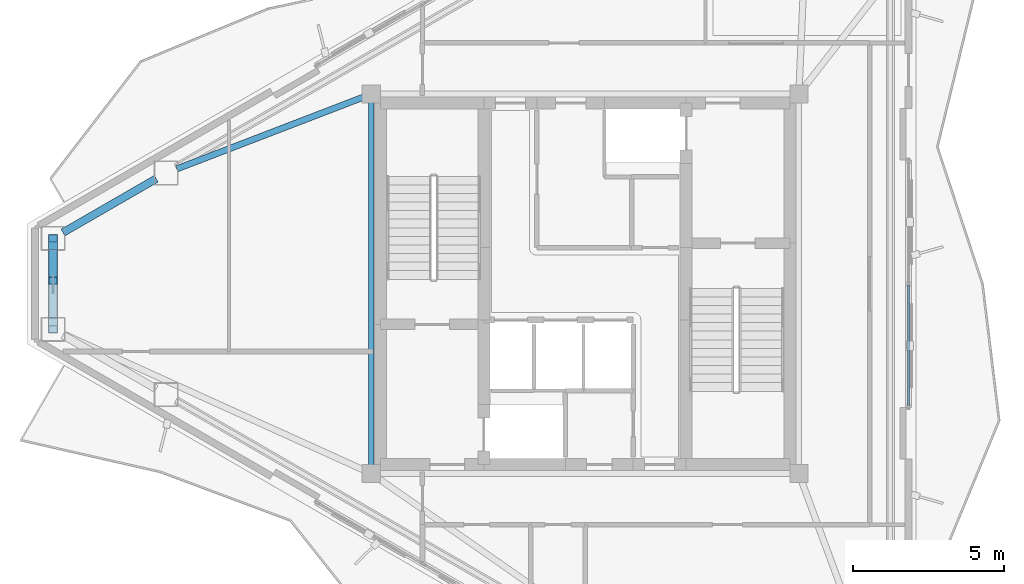
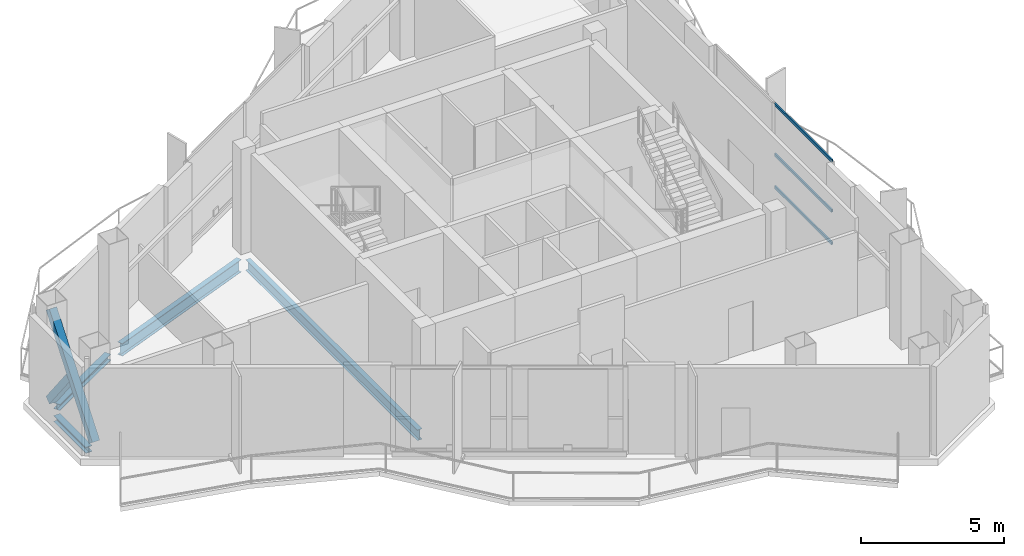
# One storey, part 5 of 14: 5 members, 4 beams, 1 element without a shape of its own.
"""IFC4 building model written with IfcOpenShell, lengths in metres."""

from ifc_helpers import new_model, si_unit, direction, frame, origin, origin_2d, place, context, subcontext, project, spatial, hollow_rectangle, i_section, extrude, material, layer, layer_set, material_profile, profile_set, type_object, element, aggregate, save


model = new_model("IFC4")

# Units and contexts
model_context = context("Model", 3, precision=1e-05, world=origin(), true_north=direction((0.0, 1.0)))
body_context = subcontext(model_context, "Body", "Model", "MODEL_VIEW")
ifc_project = project(units=[si_unit("LENGTHUNIT", "METRE"), si_unit("AREAUNIT", "SQUARE_METRE"), si_unit("VOLUMEUNIT", "CUBIC_METRE"), si_unit("PLANEANGLEUNIT", "RADIAN"), si_unit("MASSUNIT", "GRAM", prefix="KILO")], contexts=[model_context])

# Site, building, storey
site_placement = place(None, origin())
site = spatial("IfcSite", under=ifc_project, at=site_placement, CompositionType="ELEMENT")
building_placement = place(site_placement, origin())
building = spatial("IfcBuilding", under=site, at=building_placement, Name="Mersakhor Tower and Convention Hall", CompositionType="ELEMENT")
storey_placement = place(building_placement, frame((0.0, 0.0, 254.10009765625)))
storey = spatial("IfcBuildingStorey", under=building, at=storey_placement, Name="L71", CompositionType="ELEMENT", Elevation=254.10009765625)

# Beams
ifc_material_1 = material(Name="Steel S355", Category="steel")
ifc_material_profile_1 = material_profile(ifc_material_1, i_section(OverallWidth=0.19140625, OverallDepth=0.4599609375, WebThickness=0.010009765625, FlangeThickness=0.01611328125, at=origin_2d()), Name="UB 457x191x82")
ifc_profile_set_1 = profile_set([ifc_material_profile_1], Name="Steel S355")
beam_type_1 = type_object("IfcBeamType", Name="BM-FB-457", PredefinedType="BEAM", material=ifc_profile_set_1)
beam_1_placement = place(storey_placement, frame((21.89990234375, 20.72998046875, -0.510009765625), z_axis=(0.0, 1.0, 0.0), x_axis=(-1.0, 0.0, 0.0)))
element("IfcBeam", 1, at=beam_1_placement, inside=storey, type_object=beam_type_1, Name="L71 Core Ring Tie Beam CRB-1", PredefinedType="BEAM", context=body_context, shape_type="SweptSolid", body=[
    extrude(i_section(OverallWidth=0.19140625, OverallDepth=0.4599609375, WebThickness=0.010009765625, FlangeThickness=0.01611328125, at=origin_2d()), origin(), (0.0, 0.0, 1.0), 12.0400390625),
])
ifc_material_2 = material(Name="Steel S355", Category="steel")
ifc_material_profile_2 = material_profile(ifc_material_2, i_section(OverallWidth=0.2099609375, OverallDepth=0.53662109375, WebThickness=0.0107421875, FlangeThickness=0.017333984375, at=origin_2d()), Name="UB 533x210x101")
ifc_profile_set_2 = profile_set([ifc_material_profile_2], Name="Steel S355")
beam_type_2 = type_object("IfcBeamType", Name="BM-FB-533", PredefinedType="BEAM", material=ifc_profile_set_2)
beam_2_placement = place(storey_placement, frame((21.638671875, 32.949462890625, -0.548583984375), z_axis=(-0.933316231297, -0.359055444741, 0.0), x_axis=(0.359055444741, -0.933316231297, 0.0)))
element("IfcBeam", 2, at=beam_2_placement, inside=storey, type_object=beam_type_2, Name="L71 Primary Floor Girder FG-1", PredefinedType="BEAM", context=body_context, shape_type="SweptSolid", body=[
    extrude(i_section(OverallWidth=0.2099609375, OverallDepth=0.53662109375, WebThickness=0.0107421875, FlangeThickness=0.017333984375, at=origin_2d()), origin(), (0.0, 0.0, 1.0), 6.64111328125),
])
ifc_material_3 = material(Name="Steel S355", Category="steel")
ifc_material_profile_3 = material_profile(ifc_material_3, i_section(OverallWidth=0.25634765625, OverallDepth=0.26025390625, WebThickness=0.01025390625, FlangeThickness=0.017333984375, at=origin_2d()), Name="UC 254x254x89")
ifc_profile_set_3 = profile_set([ifc_material_profile_3], Name="Steel S355")
beam_type_3 = type_object("IfcBeamType", Name="BM-SPD-UC254", PredefinedType="SPANDREL", material=ifc_profile_set_3)
beam_3_placement = place(storey_placement, frame((11.6611328125, 28.451416015625, -0.41015625), z_axis=(0.866032030752, 0.499988521579, 0.0), x_axis=(-0.499988521579, 0.866032030752, 0.0)))
element("IfcBeam", 3, at=beam_3_placement, inside=storey, type_object=beam_type_3, Name="L71 Perimeter Spandrel Beam SPB-01", PredefinedType="SPANDREL", context=body_context, shape_type="SweptSolid", body=[
    extrude(i_section(OverallWidth=0.25634765625, OverallDepth=0.26025390625, WebThickness=0.01025390625, FlangeThickness=0.017333984375, at=origin_2d()), origin(), (0.0, 0.0, 1.0), 3.57421875),
])
beam_4_placement = place(storey_placement, frame((11.33203125, 25.61865234375, -0.41015625), z_axis=(0.0, 1.0, 0.0), x_axis=(-1.0, 0.0, 0.0)))
element("IfcBeam", 4, at=beam_4_placement, inside=storey, type_object=beam_type_3, Name="L71 Perimeter Spandrel Beam SPB-12", PredefinedType="SPANDREL", context=body_context, shape_type="SweptSolid", body=[
    extrude(i_section(OverallWidth=0.25634765625, OverallDepth=0.26025390625, WebThickness=0.01025390625, FlangeThickness=0.017333984375, at=origin_2d()), origin(), (0.0, 0.0, 1.0), 2.2626953125),
])

# Curtain wall, members
ifc_material_4 = material(Name="Dark solar low-E aluminium curtain wall", Category="aluminium")
ifc_layer = layer(ifc_material_4, 0.2099609375)
ifc_layer_set = layer_set([ifc_layer], Name="Dark solar low-E aluminium curtain wall")
curtain_wall_type = type_object("IfcCurtainWallType", Name="CW-SYS-06", PredefinedType="USERDEFINED", material=ifc_layer_set)
curtain_wall_placement = place(storey_placement, origin())
curtain_wall = element("IfcCurtainWall", 5, at=curtain_wall_placement, inside=storey, type_object=curtain_wall_type, Name="L71 Dark-Glass Curtain Wall F2-B2", ObjectType="CURTAIN WALL", PredefinedType="USERDEFINED")
ifc_material_5 = material(Name="Anodised aluminium EN AW-6063 T6", Category="aluminium")
ifc_material_profile_4 = material_profile(ifc_material_5, hollow_rectangle(XDim=0.06005859375, YDim=0.1201171875, WallThickness=0.0048828125, at=origin_2d()), Name="RHS 120x60x5")
ifc_profile_set_4 = profile_set([ifc_material_profile_4], Name="Anodised aluminium EN AW-6063 T6")
member_type_1 = type_object("IfcMemberType", Name="CWT-120x60", PredefinedType="USERDEFINED", material=ifc_profile_set_4)
member_1_placement = place(storey_placement, frame((39.742919921875, 26.7099609375, 0.22998046875), z_axis=(0.0, -1.0, 0.0), x_axis=(1.0, 0.0, 0.0)))
member_1 = element("IfcMember", 6, at=member_1_placement, type_object=member_type_1, Name="CW-06 transom 2.1", ObjectType="TRANSOM", PredefinedType="USERDEFINED", context=body_context, shape_type="SweptSolid", body=[
    extrude(hollow_rectangle(XDim=0.06005859375, YDim=0.1201171875, WallThickness=0.0048828125, at=origin_2d()), origin(), (0.0, 0.0, 1.0), 3.993896484375),
])
member_2_placement = place(storey_placement, frame((39.742919921875, 26.7099609375, 1.619873046875), z_axis=(0.0, -1.0, 0.0), x_axis=(1.0, 0.0, 0.0)))
member_2 = element("IfcMember", 7, at=member_2_placement, type_object=member_type_1, Name="CW-06 transom 2.2", ObjectType="TRANSOM", PredefinedType="USERDEFINED", context=body_context, shape_type="SweptSolid", body=[
    extrude(hollow_rectangle(XDim=0.06005859375, YDim=0.1201171875, WallThickness=0.0048828125, at=origin_2d()), origin(), (0.0, 0.0, 1.0), 3.993896484375),
])
member_3_placement = place(storey_placement, frame((39.742919921875, 26.7099609375, 3.77001953125), z_axis=(0.0, -1.0, 0.0), x_axis=(1.0, 0.0, 0.0)))
member_3 = element("IfcMember", 8, at=member_3_placement, type_object=member_type_1, Name="CW-06 transom 2.3", ObjectType="TRANSOM", PredefinedType="USERDEFINED", context=body_context, shape_type="SweptSolid", body=[
    extrude(hollow_rectangle(XDim=0.06005859375, YDim=0.1201171875, WallThickness=0.0048828125, at=origin_2d()), origin(), (0.0, 0.0, 1.0), 3.993896484375),
])
aggregate(curtain_wall, [member_1, member_2, member_3])

# Members
ifc_material_6 = material(Name="Steel S355", Category="steel")
ifc_material_profile_5 = material_profile(ifc_material_6, hollow_rectangle(XDim=0.300048828125, YDim=0.300048828125, WallThickness=0.01611328125, at=origin_2d()), Name="SHS 300x300x16")
ifc_profile_set_5 = profile_set([ifc_material_profile_5], Name="Steel S355")
member_type_2 = type_object("IfcMemberType", Name="MB-BRC-SHS300", PredefinedType="BRACE", material=ifc_profile_set_5)
member_4_placement = place(storey_placement, frame((11.33203125, 25.23876953125, 0.14990234375), z_axis=(0.0, 0.614545279632, 0.788881549589), x_axis=(-1.0, 0.0, 0.0)))
element("IfcMember", 9, at=member_4_placement, inside=storey, type_object=member_type_2, Name="L71 Chamfer Braced Frame Diagonal CB-3A", PredefinedType="BRACE", context=body_context, shape_type="SweptSolid", body=[
    extrude(hollow_rectangle(XDim=0.300048828125, YDim=0.300048828125, WallThickness=0.01611328125, at=origin_2d()), origin(), (0.0, 0.0, 1.0), 4.918212890625),
])
member_5_placement = place(storey_placement, frame((11.33203125, 28.26123046875, 0.14990234375), z_axis=(0.0, -0.614529291621, 0.788894004122), x_axis=(1.0, 0.0, 0.0)))
element("IfcMember", 10, at=member_5_placement, inside=storey, type_object=member_type_2, Name="L71 Chamfer Braced Frame Diagonal CB-3B Lower Half", PredefinedType="BRACE", context=body_context, shape_type="SweptSolid", body=[
    extrude(hollow_rectangle(XDim=0.300048828125, YDim=0.300048828125, WallThickness=0.01611328125, at=origin_2d()), origin(), (0.0, 0.0, 1.0), 2.29638671875),
])

save(model, "model.ifc")
